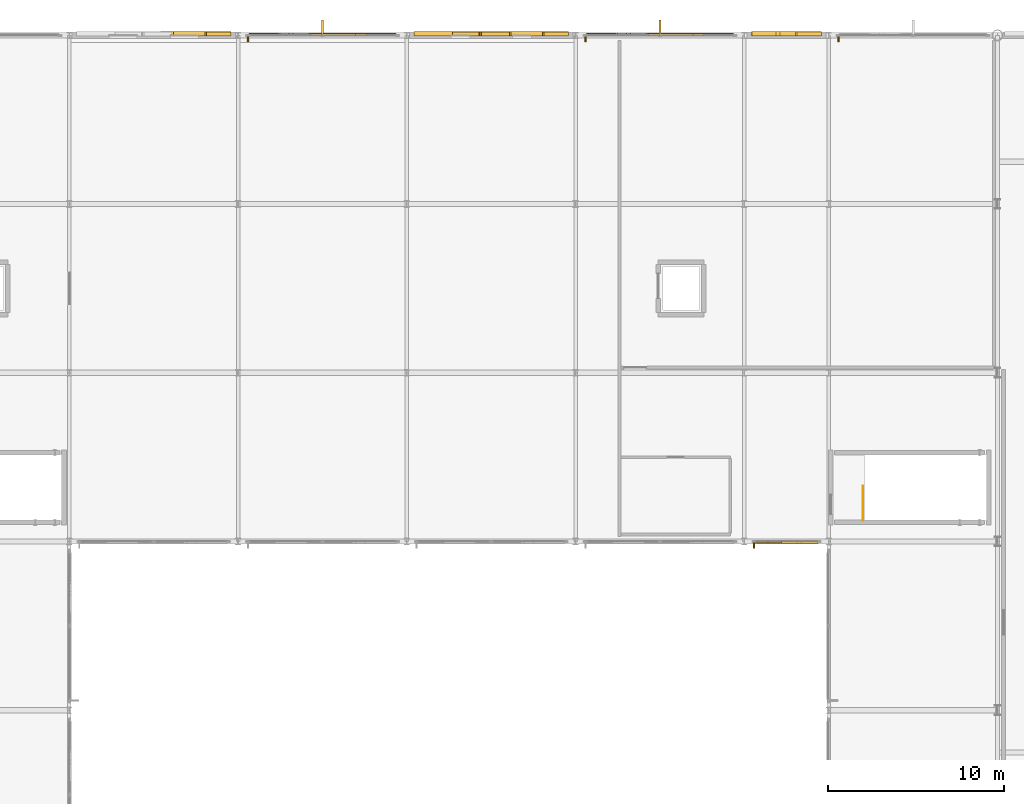
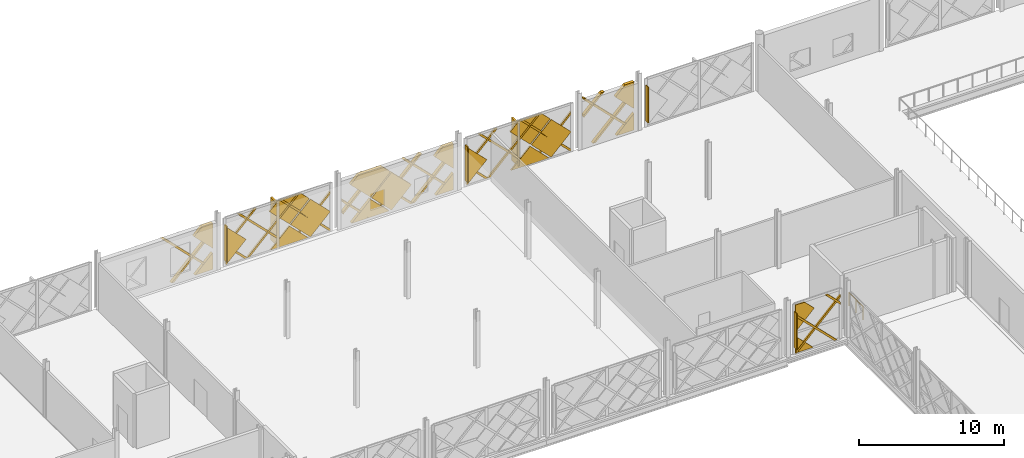
# One storey, part 68 of 77: 47 coverings, 4 shading devices, 1 railing.
"""IFC4 building model written with IfcOpenShell, lengths in metres."""

from ifc_helpers import new_model, si_unit, direction, frame, origin, origin_2d, place, context, subcontext, project, spatial, polyline, rectangle, circle, outline, extrude, material, layer, layer_set, type_object, element, save


model = new_model("IFC4")

# Units and contexts
model_context = context("Model", 3, precision=1e-05, world=origin(), true_north=direction((0.0, 1.0)))
body_context = subcontext(model_context, "Body", "Model", "MODEL_VIEW")
ifc_project = project(units=[si_unit("LENGTHUNIT", "METRE"), si_unit("AREAUNIT", "SQUARE_METRE"), si_unit("VOLUMEUNIT", "CUBIC_METRE"), si_unit("PLANEANGLEUNIT", "RADIAN"), si_unit("MASSUNIT", "GRAM", prefix="KILO")], contexts=[model_context])

# Site, building, storey
site_placement = place(None, origin())
site = spatial("IfcSite", under=ifc_project, at=site_placement, CompositionType="ELEMENT")
building_placement = place(site_placement, origin())
building = spatial("IfcBuilding", under=site, at=building_placement, Name="Zevrakil Square Congress Hotel", CompositionType="ELEMENT")
storey_placement = place(building_placement, frame((0.0, 0.0, 9.89990234375)))
storey = spatial("IfcBuildingStorey", under=building, at=storey_placement, Name="L03", CompositionType="ELEMENT", Elevation=9.89990234375)

# Coverings
ifc_material_1 = material(Name="Architectural White Fibre-C GRC", Category="concrete")
ifc_layer_1 = layer(ifc_material_1, 0.06494140625)
ifc_layer_set_1 = layer_set([ifc_layer_1], Name="Architectural White Fibre-C GRC")
covering_type_1 = type_object("IfcCoveringType", Name="COV-DIA-WHITE", PredefinedType="CLADDING", material=ifc_layer_set_1)
covering_1_placement = place(storey_placement, frame((72.590087890625, 113.0, 0.080078125), z_axis=(0.0, 0.999999760125, 0.000692640526), x_axis=(1.0, 0.0, 0.0)))
element("IfcCovering", 1, at=covering_1_placement, inside=storey, type_object=covering_type_1, Name="L03 45-degree white GRC diamond facade cassette 646", PredefinedType="CLADDING", context=body_context, shape_type="SweptSolid", body=[
    extrude(outline(polyline([(0.0, 0.0), (1.409912109375, 0.0), (1.409912109375, -1.4099124475784228), (0.0, 0.0)])), origin(), (0.0, 0.0, -1.0), 0.239990234375),
])
covering_2_placement = place(storey_placement, frame((72.510009765625, 112.998046875, 3.360107421875), z_axis=(6.8463888e-05, 0.999999818345, 0.00059885107), x_axis=(0.707106740618, 0.000375040409, -0.707106722297)))
element("IfcCovering", 2, at=covering_2_placement, inside=storey, type_object=covering_type_1, Name="L03 45-degree white GRC diamond facade cassette 649", PredefinedType="CLADDING", context=body_context, shape_type="SweptSolid", body=[
    extrude(outline(polyline([(0.0, 0.0), (2.1071645237524566, 0.0), (0.597484308495914, -1.509680043501462), (-1.7130816543087235e-07, -0.9121954979388295), (0.0, 0.0)])), origin(), (0.0, 0.0, -1.0), 0.239990234375),
])
covering_3_placement = place(storey_placement, frame((80.1201171875, 112.89404296875, 1.590087890625), z_axis=(0.0, 0.999999790873, 0.000646725815), x_axis=(-0.707106707249, 0.000457304257, -0.707106707249)))
element("IfcCovering", 3, at=covering_3_placement, inside=storey, type_object=covering_type_1, Name="L03 45-degree white GRC diamond facade cassette 667", PredefinedType="CLADDING", context=body_context, shape_type="SweptSolid", body=[
    extrude(outline(polyline([(0.0, 0.0), (2.1354765131557993, 0.0), (0.00017308005963778683, -2.1353038796462007), (0.0, 0.0)])), origin(), (0.0, 0.0, -1.0), 0.1201171875),
])
covering_4_placement = place(storey_placement, frame((81.800048828125, 112.89306640625, 3.27001953125), z_axis=(0.0, 0.999999812555, 0.000612282237), x_axis=(-0.707161000838, 0.000432915721, -0.707052424844)))
element("IfcCovering", 4, at=covering_4_placement, inside=storey, type_object=covering_type_1, Name="L03 45-degree white GRC diamond facade cassette 668", PredefinedType="CLADDING", context=body_context, shape_type="SweptSolid", body=[
    extrude(outline(polyline([(0.0, 0.0), (2.2485514454845923, 0.0), (2.248379222880032, -2.2487240657380214), (0.013983748838055643, -2.248379882955194), (-0.0001711092764935529, -2.234222853853795), (0.0, 0.0)])), origin(), (0.0, 0.0, -1.0), 0.1201171875),
])
covering_5_placement = place(storey_placement, frame((75.080078125, 112.89501953125, 0.090087890625), z_axis=(4.3905e-08, 0.999999810877, 0.000615017631), x_axis=(0.707052423991, -0.000434947608, 0.707161000444)))
element("IfcCovering", 5, at=covering_5_placement, inside=storey, type_object=covering_type_1, Name="L03 45-degree white GRC diamond facade cassette 669", PredefinedType="CLADDING", context=body_context, shape_type="SweptSolid", body=[
    extrude(outline(polyline([(0.0, 0.0), (2.2485514454863083, 0.0), (2.2487244898345797, -2.248378798725155), (2.163961467029263, -2.248557955925599), (6.520949064468817e-06, -0.08493566953746919), (0.0, 0.0)])), origin(), (0.0, 0.0, -1.0), 0.1201171875),
])
covering_6_placement = place(storey_placement, frame((78.530029296875, 112.89306640625, 3.360107421875), z_axis=(0.0, 0.999999833525, 0.000577018806), x_axis=(0.707106746075, 0.000408013931, -0.707106698582)))
element("IfcCovering", 6, at=covering_6_placement, inside=storey, type_object=covering_type_1, Name="L03 45-degree white GRC diamond facade cassette 670", PredefinedType="CLADDING", context=body_context, shape_type="SweptSolid", body=[
    extrude(outline(polyline([(0.0, 0.0), (2.2487239719468546, -4.440892098500626e-16), (2.248551115144425, -2.2485513384467715), (1.33635562275862, -2.2485514164484766), (-1.6859132201396676e-07, -0.9121954923857929), (0.0, 0.0)])), origin(), (0.0, 0.0, -1.0), 0.1201171875),
])
covering_7_placement = place(storey_placement, frame((91.7900390625, 113.0, 0.080078125), z_axis=(0.0, 0.999999760125, 0.000692640526), x_axis=(1.0, 0.0, 0.0)))
element("IfcCovering", 7, at=covering_7_placement, inside=storey, type_object=covering_type_1, Name="L03 45-degree white GRC diamond facade cassette 690", PredefinedType="CLADDING", context=body_context, shape_type="SweptSolid", body=[
    extrude(outline(polyline([(0.0, 0.0), (1.409912109375, 0.0), (1.409912109375, -1.4099124475784228), (0.0, 0.0)])), origin(), (0.0, 0.0, -1.0), 0.239990234375),
])
covering_8_placement = place(storey_placement, frame((86.580078125, 112.9990234375, 1.590087890625), z_axis=(0.0, 0.999999790873, 0.000646725815), x_axis=(-0.707106707249, 0.000457304257, -0.707106707249)))
element("IfcCovering", 8, at=covering_8_placement, inside=storey, type_object=covering_type_1, Name="L03 45-degree white GRC diamond facade cassette 691", PredefinedType="CLADDING", context=body_context, shape_type="SweptSolid", body=[
    extrude(outline(polyline([(0.0, 0.0), (2.1354765131557993, 0.0), (4.465861884739297e-07, -2.1354765131557527), (0.0, 0.0)])), origin(), (0.0, 0.0, -1.0), 0.239990234375),
])
covering_9_placement = place(storey_placement, frame((88.260009765625, 112.998046875, 3.27001953125), z_axis=(0.0, 0.999999811377, 0.000614203339), x_axis=(-0.707161000837, 0.000434274042, -0.707052424012)))
element("IfcCovering", 9, at=covering_9_placement, inside=storey, type_object=covering_type_1, Name="L03 45-degree white GRC diamond facade cassette 692", PredefinedType="CLADDING", context=body_context, shape_type="SweptSolid", body=[
    extrude(outline(polyline([(0.0, 0.0), (2.2485514454867683, 0.0), (2.2483792228863573, -2.248724065739994), (-0.0003448428211170196, -2.248551419043839), (0.0, 0.0)])), origin(), (0.0, 0.0, -1.0), 0.239990234375),
])
covering_10_placement = place(storey_placement, frame((91.7099609375, 112.998046875, 3.360107421875), z_axis=(6.8463888e-05, 0.999999818345, 0.00059885107), x_axis=(0.707106740618, 0.000375040409, -0.707106722297)))
element("IfcCovering", 10, at=covering_10_placement, inside=storey, type_object=covering_type_1, Name="L03 45-degree white GRC diamond facade cassette 693", PredefinedType="CLADDING", context=body_context, shape_type="SweptSolid", body=[
    extrude(outline(polyline([(0.0, 0.0), (2.1071645237524566, 0.0), (0.597484308495914, -1.509680043501462), (-1.7130816543087235e-07, -0.9121954979388295), (0.0, 0.0)])), origin(), (0.0, 0.0, -1.0), 0.239990234375),
])
covering_11_placement = place(storey_placement, frame((84.989990234375, 112.998046875, 3.360107421875), z_axis=(0.0, 0.999999833525, 0.000577018806), x_axis=(0.707106746075, 0.000408013931, -0.707106698582)))
element("IfcCovering", 11, at=covering_11_placement, inside=storey, type_object=covering_type_1, Name="L03 45-degree white GRC diamond facade cassette 694", PredefinedType="CLADDING", context=body_context, shape_type="SweptSolid", body=[
    extrude(outline(polyline([(0.0, 0.0), (2.2487239719468546, -4.440892098500626e-16), (2.248551115144425, -2.2485513384467715), (1.33635562275862, -2.2485514164484766), (-1.6859132201396676e-07, -0.9121954923857929), (0.0, 0.0)])), origin(), (0.0, 0.0, -1.0), 0.239990234375),
])
covering_12_placement = place(storey_placement, frame((99.320068359375, 112.89404296875, 1.590087890625), z_axis=(0.0, 0.999999790873, 0.000646725815), x_axis=(-0.707106707249, 0.000457304257, -0.707106707249)))
element("IfcCovering", 12, at=covering_12_placement, inside=storey, type_object=covering_type_1, Name="L03 45-degree white GRC diamond facade cassette 711", PredefinedType="CLADDING", context=body_context, shape_type="SweptSolid", body=[
    extrude(outline(polyline([(0.0, 0.0), (2.1354765131557993, 0.0), (4.465861884739297e-07, -2.1354765131557527), (0.0, 0.0)])), origin(), (0.0, 0.0, -1.0), 0.1201171875),
])
covering_13_placement = place(storey_placement, frame((101.0, 112.89306640625, 3.27001953125), z_axis=(0.0, 0.999999812555, 0.000612282088), x_axis=(-0.707161000838, 0.000432915616, -0.707052424844)))
element("IfcCovering", 13, at=covering_13_placement, inside=storey, type_object=covering_type_1, Name="L03 45-degree white GRC diamond facade cassette 712", PredefinedType="CLADDING", context=body_context, shape_type="SweptSolid", body=[
    extrude(outline(polyline([(0.0, 0.0), (2.248551445484592, 0.0), (2.2483792228800303, -2.2487240657380205), (0.013811102109335449, -2.2485525032084603), (-0.000343756005215079, -2.2343954741070595), (0.0, 0.0)])), origin(), (0.0, 0.0, -1.0), 0.1201171875),
])
covering_14_placement = place(storey_placement, frame((94.280029296875, 112.89501953125, 0.090087890625), z_axis=(4.3898e-08, 0.999999810877, 0.000615017515), x_axis=(0.707106714509, -0.000434914137, 0.707106714115)))
element("IfcCovering", 14, at=covering_14_placement, inside=storey, type_object=covering_type_1, Name="L03 45-degree white GRC diamond facade cassette 713", PredefinedType="CLADDING", context=body_context, shape_type="SweptSolid", body=[
    extrude(outline(polyline([(0.0, 0.0), (2.2487240723345248, 0.0), (2.2485518629543146, -2.248551438891992), (2.16378882664394, -2.2487240883742428), (-2.3641429092169375e-11, -0.08493566978779551), (0.0, 0.0)])), origin(), (0.0, 0.0, -1.0), 0.1201171875),
])
covering_15_placement = place(storey_placement, frame((97.72998046875, 112.89306640625, 3.360107421875), z_axis=(0.0, 0.999999833525, 0.000577018806), x_axis=(0.707106746075, 0.000408013931, -0.707106698582)))
element("IfcCovering", 15, at=covering_15_placement, inside=storey, type_object=covering_type_1, Name="L03 45-degree white GRC diamond facade cassette 714", PredefinedType="CLADDING", context=body_context, shape_type="SweptSolid", body=[
    extrude(outline(polyline([(0.0, 0.0), (2.2487239719468546, -4.440892098500626e-16), (2.248551115144425, -2.2485513384467715), (1.33635562275862, -2.2485514164484766), (-1.6859132201396676e-07, -0.9121954923857929), (0.0, 0.0)])), origin(), (0.0, 0.0, -1.0), 0.1201171875),
])
covering_16_placement = place(storey_placement, frame((106.18994140625, 113.0, 0.080078125), z_axis=(0.0, 0.999999760125, 0.000692640526), x_axis=(1.0, 0.0, 0.0)))
element("IfcCovering", 16, at=covering_16_placement, inside=storey, type_object=covering_type_1, Name="L03 45-degree white GRC diamond facade cassette 726", PredefinedType="CLADDING", context=body_context, shape_type="SweptSolid", body=[
    extrude(outline(polyline([(0.0, 0.0), (1.41015625, 0.0), (1.41015625, -1.4099124475784226), (0.0, 0.0)])), origin(), (0.0, 0.0, -1.0), 0.239990234375),
])
covering_17_placement = place(storey_placement, frame((106.110107421875, 112.998046875, 3.360107421875), z_axis=(4.071961e-05, 0.999999846916, 0.000551823539), x_axis=(0.707106739102, 0.000361405083, -0.707106730914)))
element("IfcCovering", 17, at=covering_17_placement, inside=storey, type_object=covering_type_1, Name="L03 45-degree white GRC diamond facade cassette 727", PredefinedType="CLADDING", context=body_context, shape_type="SweptSolid", body=[
    extrude(outline(polyline([(0.0, 0.0), (2.107164524345376, 0.0), (0.5056432963886414, -1.6015210383001275), (-1.7012232711444142e-07, -1.0958775124388551), (0.0, 0.0)])), origin(), (0.0, 0.0, -1.0), 0.239990234375),
])
covering_18_placement = place(storey_placement, frame((105.22998046875, 83.905029296875, 0.080078125), z_axis=(0.0, -0.999999760125, 0.000692640526), x_axis=(-1.0, 0.0, 0.0)))
element("IfcCovering", 18, at=covering_18_placement, inside=storey, type_object=covering_type_1, Name="L03 45-degree white GRC diamond facade cassette 1696", PredefinedType="CLADDING", context=body_context, shape_type="SweptSolid", body=[
    extrude(outline(polyline([(0.0, 0.0), (1.409912109375, 0.0), (1.409912109375, -1.4099124475784228), (0.0, 0.0)])), origin(), (0.0, 0.0, -1.0), 0.1201171875),
])
covering_19_placement = place(storey_placement, frame((105.31005859375, 83.906982421875, 3.360107421875), z_axis=(7.434266e-06, -0.999999792337, 0.000644414274), x_axis=(-0.70710670527, -0.00046092657, -0.707106706876)))
element("IfcCovering", 19, at=covering_19_placement, inside=storey, type_object=covering_type_1, Name="L03 45-degree white GRC diamond facade cassette 1697", PredefinedType="CLADDING", context=body_context, shape_type="SweptSolid", body=[
    extrude(outline(polyline([(0.0, 0.0), (2.1071646235431647, -2.220446049250313e-16), (0.5056432160114439, -1.6015210636773696), (0.0001724071662957405, -1.0960501463228178), (0.0, 0.0)])), origin(), (0.0, 0.0, -1.0), 0.1201171875),
])
ifc_material_2 = material(Name="Anodised Champagne Aluminium", Category="aluminium")
ifc_layer_2 = layer(ifc_material_2, 0.0849609375)
ifc_layer_set_2 = layer_set([ifc_layer_2], Name="Anodised Champagne Aluminium")
covering_type_2 = type_object("IfcCoveringType", Name="COV-DIAGRID-45", PredefinedType="MOLDING", material=ifc_layer_set_2)
covering_20_placement = place(storey_placement, frame((73.913818359375, 113.02490234375, 0.080078125), z_axis=(-0.000168035262, 0.999999907008, 0.000397174255), x_axis=(0.999999985882, 0.000168035248, 6.6739e-08)))
element("IfcCovering", 20, at=covering_20_placement, inside=storey, type_object=covering_type_2, Name="L03 45-degree aluminium diagrid rib 651", PredefinedType="MOLDING", context=body_context, shape_type="SweptSolid", body=[
    extrude(outline(polyline([(0.0, 0.0), (0.08618163940829408, -1.1406045165281983e-24), (0.08618164783217303, -0.12622069316950618), (-3.7126465392232757, -3.925049391239227), (-3.9248047393530423, -3.925049391239227), (0.0, 0.0)])), origin(), (0.0, 0.0, -1.0), 0.264892578125),
])
covering_21_placement = place(storey_placement, frame((74.0, 113.023193359375, 3.154052734375), z_axis=(-0.000287477056, 0.99999958606, 0.000863270454), x_axis=(-8.2643e-08, -0.000863270513, 0.999999627382)))
element("IfcCovering", 21, at=covering_21_placement, inside=storey, type_object=covering_type_2, Name="L03 45-degree aluminium diagrid rib 654", PredefinedType="MOLDING", context=body_context, shape_type="SweptSolid", body=[
    extrude(outline(polyline([(0.0, 0.0), (0.21215833483042407, 1.3234889800848443e-23), (-3.0739746676964605, -3.286133202330571), (-3.073974685229852, -3.0739750079722734), (0.0, 0.0)])), origin(), (0.0, 0.0, -1.0), 0.264892578125),
])
covering_22_placement = place(storey_placement, frame((83.2939453125, 112.919921875, 0.080078125), z_axis=(-0.000186814305, 0.999999885222, 0.000441199743), x_axis=(0.99999998255, 0.000186814287, 8.2422e-08)))
element("IfcCovering", 22, at=covering_22_placement, inside=storey, type_object=covering_type_2, Name="L03 45-degree aluminium diagrid rib 671", PredefinedType="MOLDING", context=body_context, shape_type="SweptSolid", body=[
    extrude(outline(polyline([(0.0, 0.0), (0.08593749850040845, 0.0), (0.08593750890382487, -0.12622069084011384), (-3.7128906927883554, -3.9250495232532634), (-3.9250488922112385, -3.9250495232532634), (0.0, 0.0)])), origin(), (0.0, 0.0, -1.0), 0.14501953125),
])
covering_23_placement = place(storey_placement, frame((79.933837890625, 112.919921875, 0.080078125), z_axis=(0.0, 0.999999806554, 0.000622006473), x_axis=(1.0, 0.0, 0.0)))
element("IfcCovering", 23, at=covering_23_placement, inside=storey, type_object=covering_type_2, Name="L03 45-degree aluminium diagrid rib 672", PredefinedType="MOLDING", context=body_context, shape_type="SweptSolid", body=[
    extrude(outline(polyline([(0.0, 0.0), (0.212158203125, 0.0), (-3.712646484375, -3.9250495874103186), (-3.925048828125, -3.9250495874103186), (0.0, 0.0)])), origin(), (0.0, 0.0, -1.0), 0.14501953125),
])
covering_24_placement = place(storey_placement, frame((76.573974609375, 112.919921875, 0.080078125), z_axis=(-0.000294139249, 0.999999913482, 0.000294139249), x_axis=(0.999999956741, 0.000294139237, 8.6518e-08)))
element("IfcCovering", 24, at=covering_24_placement, inside=storey, type_object=covering_type_2, Name="L03 45-degree aluminium diagrid rib 673", PredefinedType="MOLDING", context=body_context, shape_type="SweptSolid", body=[
    extrude(outline(polyline([(0.0, 0.0), (0.2121581939472589, 0.0), (-1.553955145347468, -1.7661134920951609), (-1.5539551637029505, -1.5539552981479028), (0.0, 0.0)])), origin(), (0.0, 0.0, -1.0), 0.14501953125),
])
covering_25_placement = place(storey_placement, frame((83.3798828125, 112.918212890625, 3.154052734375), z_axis=(-0.000287488092, 0.999999586067, 0.000863259418), x_axis=(-8.2649e-08, -0.000863259477, 0.999999627391)))
element("IfcCovering", 25, at=covering_25_placement, inside=storey, type_object=covering_type_2, Name="L03 45-degree aluminium diagrid rib 674", PredefinedType="MOLDING", context=body_context, shape_type="SweptSolid", body=[
    extrude(outline(polyline([(0.0, 0.0), (0.212158334829751, 1.3234889800848443e-23), (-3.0739746677062127, -3.2858890617254115), (-3.073974685240951, -3.0737308673677872), (0.0, 0.0)])), origin(), (0.0, 0.0, -1.0), 0.14501953125),
])
covering_26_placement = place(storey_placement, frame((80.87109375, 112.91748046875, 4.005126953125), z_axis=(0.0, 0.999999806554, 0.000622006473), x_axis=(-1.0, 0.0, 0.0)))
element("IfcCovering", 26, at=covering_26_placement, inside=storey, type_object=covering_type_2, Name="L03 45-degree aluminium diagrid rib 675", PredefinedType="MOLDING", context=body_context, shape_type="SweptSolid", body=[
    extrude(outline(polyline([(0.0, 0.0), (0.212158203125, 0.0), (4.13720703125, -3.9250495874103186), (3.925048828125, -3.9250495874103186), (0.0, 0.0)])), origin(), (0.0, 0.0, -1.0), 0.14501953125),
])
covering_27_placement = place(storey_placement, frame((77.510986328125, 112.91748046875, 4.005126953125), z_axis=(-0.00024217289, 0.99999955887, 0.00090753025), x_axis=(-0.999999970676, -0.00024217279, -2.19779e-07)))
element("IfcCovering", 27, at=covering_27_placement, inside=storey, type_object=covering_type_2, Name="L03 45-degree aluminium diagrid rib 676", PredefinedType="MOLDING", context=body_context, shape_type="SweptSolid", body=[
    extrude(outline(polyline([(0.0, 0.0), (0.21215819690370366, -5.6157808774107894e-24), (2.490966869919751, -2.2788089847137165), (2.490966857477158, -2.4912114625602326), (0.0, 0.0)])), origin(), (0.0, 0.0, -1.0), 0.14501953125),
])
covering_28_placement = place(storey_placement, frame((93.114013671875, 113.02490234375, 0.080078125), z_axis=(-0.000168132879, 0.999999907029, 0.000397079777), x_axis=(0.999999985866, 0.000168132865, 6.6762e-08)))
element("IfcCovering", 28, at=covering_28_placement, inside=storey, type_object=covering_type_2, Name="L03 45-degree aluminium diagrid rib 695", PredefinedType="MOLDING", context=body_context, shape_type="SweptSolid", body=[
    extrude(outline(polyline([(0.0, 0.0), (0.08593749878533079, 1.137373342260413e-24), (0.08593750721209843, -0.12622069317424195), (-3.7128906799085697, -3.925049391178901), (-3.925048880034855, -3.925049391178901), (0.0, 0.0)])), origin(), (0.0, 0.0, -1.0), 0.264892578125),
])
covering_29_placement = place(storey_placement, frame((89.75390625, 113.02490234375, 0.080078125), z_axis=(0.0, 0.999999843309, 0.000559805846), x_axis=(1.0, 0.0, 0.0)))
element("IfcCovering", 29, at=covering_29_placement, inside=storey, type_object=covering_type_2, Name="L03 45-degree aluminium diagrid rib 696", PredefinedType="MOLDING", context=body_context, shape_type="SweptSolid", body=[
    extrude(outline(polyline([(0.0, 0.0), (0.212158203125, 0.0), (-3.712890625, -3.9250494431461194), (-3.925048828125, -3.9250494431461194), (0.0, 0.0)])), origin(), (0.0, 0.0, -1.0), 0.264892578125),
])
covering_30_placement = place(storey_placement, frame((86.393798828125, 113.02490234375, 0.080078125), z_axis=(-0.000290471383, 0.999999915529, 0.000290805643), x_axis=(0.999999957813, 0.000290471371, 8.4471e-08)))
element("IfcCovering", 30, at=covering_30_placement, inside=storey, type_object=covering_type_2, Name="L03 45-degree aluminium diagrid rib 697", PredefinedType="MOLDING", context=body_context, shape_type="SweptSolid", body=[
    extrude(outline(polyline([(0.0, 0.0), (0.212402334789422, -2.81112161297318e-24), (-1.993896568491142, -2.206054949206632), (-1.9938965864122986, -1.9938967550525222), (0.0, 0.0)])), origin(), (0.0, 0.0, -1.0), 0.264892578125),
])
covering_31_placement = place(storey_placement, frame((93.199951171875, 113.023193359375, 3.154052734375), z_axis=(-0.000287317256, 0.999999586254, 0.000863099624), x_axis=(-8.2646e-08, -0.000863099684, 0.999999627529)))
element("IfcCovering", 31, at=covering_31_placement, inside=storey, type_object=covering_type_2, Name="L03 45-degree aluminium diagrid rib 698", PredefinedType="MOLDING", context=body_context, shape_type="SweptSolid", body=[
    extrude(outline(polyline([(0.0, 0.0), (0.212158334820002, 0.0), (-3.0739746678474664, -3.286133202189314), (-3.0739746854017027, -3.07373086720635), (0.0, 0.0)])), origin(), (0.0, 0.0, -1.0), 0.264892578125),
])
covering_32_placement = place(storey_placement, frame((90.691162109375, 113.022705078125, 4.005126953125), z_axis=(0.0, 0.999999843309, 0.000559805846), x_axis=(-1.0, 0.0, 0.0)))
element("IfcCovering", 32, at=covering_32_placement, inside=storey, type_object=covering_type_2, Name="L03 45-degree aluminium diagrid rib 699", PredefinedType="MOLDING", context=body_context, shape_type="SweptSolid", body=[
    extrude(outline(polyline([(0.0, 0.0), (0.212158203125, 0.0), (4.13720703125, -3.9250494431461194), (3.925048828125, -3.9250494431461194), (0.0, 0.0)])), origin(), (0.0, 0.0, -1.0), 0.264892578125),
])
covering_33_placement = place(storey_placement, frame((87.3310546875, 113.022705078125, 4.005126953125), z_axis=(-0.000294511409, 0.999999590061, 0.000856236106), x_axis=(-0.999999956632, -0.000294511301, -2.52171e-07)))
element("IfcCovering", 33, at=covering_33_placement, inside=storey, type_object=covering_type_2, Name="L03 45-degree aluminium diagrid rib 700", PredefinedType="MOLDING", context=body_context, shape_type="SweptSolid", body=[
    extrude(outline(polyline([(0.0, 0.0), (0.21215819392401997, 0.0), (2.9311524708696437, -2.7189943981748455), (2.9311524524676837, -2.931152732570991), (0.0, 0.0)])), origin(), (0.0, 0.0, -1.0), 0.264892578125),
])
covering_34_placement = place(storey_placement, frame((102.493896484375, 112.919921875, 0.080078125), z_axis=(-0.000186702356, 0.9999998852, 0.000441296479), x_axis=(0.999999982571, 0.000186702338, 8.2391e-08)))
element("IfcCovering", 34, at=covering_34_placement, inside=storey, type_object=covering_type_2, Name="L03 45-degree aluminium diagrid rib 715", PredefinedType="MOLDING", context=body_context, shape_type="SweptSolid", body=[
    extrude(outline(polyline([(0.0, 0.0), (0.08618163912295008, 0.0), (0.08618164952241188, -0.12622069083472615), (-3.712890692715645, -3.9250495233218956), (-3.9250488921429643, -3.9250495233218956), (0.0, 0.0)])), origin(), (0.0, 0.0, -1.0), 0.14501953125),
])
covering_35_placement = place(storey_placement, frame((99.1337890625, 112.919921875, 0.080078125), z_axis=(0.0, 0.999999806554, 0.000622006473), x_axis=(1.0, 0.0, 0.0)))
element("IfcCovering", 35, at=covering_35_placement, inside=storey, type_object=covering_type_2, Name="L03 45-degree aluminium diagrid rib 716", PredefinedType="MOLDING", context=body_context, shape_type="SweptSolid", body=[
    extrude(outline(polyline([(0.0, 0.0), (0.21240234375, 0.0), (-3.712646484375, -3.9250495874103186), (-3.9248046875, -3.9250495874103186), (0.0, 0.0)])), origin(), (0.0, 0.0, -1.0), 0.14501953125),
])
covering_36_placement = place(storey_placement, frame((95.77392578125, 112.919921875, 0.080078125), z_axis=(-0.000294139249, 0.999999913482, 0.000294139249), x_axis=(0.999999956741, 0.000294139237, 8.6518e-08)))
element("IfcCovering", 36, at=covering_36_placement, inside=storey, type_object=covering_type_2, Name="L03 45-degree aluminium diagrid rib 717", PredefinedType="MOLDING", context=body_context, shape_type="SweptSolid", body=[
    extrude(outline(polyline([(0.0, 0.0), (0.2121581939472589, 0.0), (-1.553955145347468, -1.7661134920951609), (-1.5539551637029505, -1.5539552981479028), (0.0, 0.0)])), origin(), (0.0, 0.0, -1.0), 0.14501953125),
])
covering_37_placement = place(storey_placement, frame((102.580078125, 112.918212890625, 3.154052734375), z_axis=(-0.000287477056, 0.99999958606, 0.000863270454), x_axis=(-8.2643e-08, -0.000863270513, 0.999999627382)))
element("IfcCovering", 37, at=covering_37_placement, inside=storey, type_object=covering_type_2, Name="L03 45-degree aluminium diagrid rib 718", PredefinedType="MOLDING", context=body_context, shape_type="SweptSolid", body=[
    extrude(outline(polyline([(0.0, 0.0), (0.21215833483042407, 1.3234889800848443e-23), (-3.0739746676964605, -3.286133202330571), (-3.073974685229852, -3.0739750079722734), (0.0, 0.0)])), origin(), (0.0, 0.0, -1.0), 0.14501953125),
])
covering_38_placement = place(storey_placement, frame((100.071044921875, 112.91748046875, 4.005126953125), z_axis=(0.0, 0.999999806554, 0.000622006473), x_axis=(-1.0, 0.0, 0.0)))
element("IfcCovering", 38, at=covering_38_placement, inside=storey, type_object=covering_type_2, Name="L03 45-degree aluminium diagrid rib 719", PredefinedType="MOLDING", context=body_context, shape_type="SweptSolid", body=[
    extrude(outline(polyline([(0.0, 0.0), (0.212158203125, 0.0), (4.13720703125, -3.9250495874103186), (3.925048828125, -3.9250495874103186), (0.0, 0.0)])), origin(), (0.0, 0.0, -1.0), 0.14501953125),
])
covering_39_placement = place(storey_placement, frame((96.711181640625, 112.91748046875, 4.005126953125), z_axis=(-0.000242027513, 0.999999559026, 0.000907397268), x_axis=(-0.999999970711, -0.000242027413, -2.19615e-07)))
element("IfcCovering", 39, at=covering_39_placement, inside=storey, type_object=covering_type_2, Name="L03 45-degree aluminium diagrid rib 720", PredefinedType="MOLDING", context=body_context, shape_type="SweptSolid", body=[
    extrude(outline(polyline([(0.0, 0.0), (0.21240233752902019, 0.0), (2.4912110104642298, -2.2788089847939177), (2.49121099802227, -2.4912114626335993), (0.0, 0.0)])), origin(), (0.0, 0.0, -1.0), 0.14501953125),
])
covering_40_placement = place(storey_placement, frame((107.513916015625, 113.02490234375, 0.080078125), z_axis=(0.000200090485, 0.999999664345, 0.000794527881), x_axis=(0.999999979982, -0.000200090421, -1.58977e-07)))
element("IfcCovering", 40, at=covering_40_placement, inside=storey, type_object=covering_type_2, Name="L03 45-degree aluminium diagrid rib 728", PredefinedType="MOLDING", context=body_context, shape_type="SweptSolid", body=[
    extrude(outline(polyline([(0.0, 0.0), (0.08618163889980719, 0.0), (0.08618161883355892, -0.12622066328503312), (-3.8427735167157477, -4.054932300502539), (-3.913818437168563, -4.054932300502539), (-3.913818463584931, -3.9138188698166227), (0.0, 0.0)])), origin(), (0.0, 0.0, -1.0), 0.264892578125),
])
covering_41_placement = place(storey_placement, frame((107.60009765625, 113.023193359375, 3.154052734375), z_axis=(-0.000287477056, 0.99999958606, 0.000863270454), x_axis=(-8.2643e-08, -0.000863270513, 0.999999627382)))
element("IfcCovering", 41, at=covering_41_placement, inside=storey, type_object=covering_type_2, Name="L03 45-degree aluminium diagrid rib 729", PredefinedType="MOLDING", context=body_context, shape_type="SweptSolid", body=[
    extrude(outline(polyline([(0.0, 0.0), (0.21215833483042407, 1.3234889800848443e-23), (-3.0739746676964605, -3.286133202330571), (-3.073974685229852, -3.0739750079722734), (0.0, 0.0)])), origin(), (0.0, 0.0, -1.0), 0.264892578125),
])
covering_42_placement = place(storey_placement, frame((105.22119140625, 113.0224609375, 4.135009765625), z_axis=(0.000322320676, 0.999999896109, 0.000322320676), x_axis=(-0.999999948055, 0.000322320659, 1.03891e-07)))
element("IfcCovering", 42, at=covering_42_placement, inside=storey, type_object=covering_type_2, Name="L03 45-degree aluminium diagrid rib 730", PredefinedType="MOLDING", context=body_context, shape_type="SweptSolid", body=[
    extrude(outline(polyline([(0.0, 0.0), (0.21240233271669434, 0.0), (1.6210938342082224, -1.4086916478413816), (1.6210938121416105, -1.6210939805580749), (0.0, 0.0)])), origin(), (0.0, 0.0, -1.0), 0.264892578125),
])
covering_43_placement = place(storey_placement, frame((103.906005859375, 83.8798828125, 0.080078125), z_axis=(-0.000647793829, -0.999998968386, 0.001282025862), x_axis=(-0.999999790182, 0.000647793296, -8.30489e-07)))
element("IfcCovering", 43, at=covering_43_placement, inside=storey, type_object=covering_type_2, Name="L03 45-degree aluminium diagrid rib 1698", PredefinedType="MOLDING", context=body_context, shape_type="SweptSolid", body=[
    extrude(outline(polyline([(0.0, 0.0), (0.08593748196872746, 0.0), (0.08593753529653067, -0.12622091239201236), (-3.4738777039251745, -3.6860352570282595), (-3.4738776858828624, -3.4738769152593267), (0.0, 0.0)])), origin(), (0.0, 0.0, -1.0), 0.14501953125),
])
covering_44_placement = place(storey_placement, frame((103.820068359375, 83.8818359375, 3.154052734375), z_axis=(0.000248952361, -0.999999562652, 0.00090150864), x_axis=(6.2049e-08, 0.000901508683, 0.999999593641)))
element("IfcCovering", 44, at=covering_44_placement, inside=storey, type_object=covering_type_2, Name="L03 45-degree aluminium diagrid rib 1699", PredefinedType="MOLDING", context=body_context, shape_type="SweptSolid", body=[
    extrude(outline(polyline([(0.0, 0.0), (0.21215833700749018, 0.0), (-3.0739749170969763, -3.2861331050685156), (-3.073974930276236, -3.073730767900576), (0.0, 0.0)])), origin(), (0.0, 0.0, -1.0), 0.14501953125),
])
covering_45_placement = place(storey_placement, frame((106.198974609375, 83.882568359375, 4.135009765625), z_axis=(-0.000340715463, -0.999999883913, 0.000340715463), x_axis=(0.999999941956, -0.000340715443, 1.16087e-07)))
element("IfcCovering", 45, at=covering_45_placement, inside=storey, type_object=covering_type_2, Name="L03 45-degree aluminium diagrid rib 1700", PredefinedType="MOLDING", context=body_context, shape_type="SweptSolid", body=[
    extrude(outline(polyline([(0.0, 0.0), (0.21215819081059215, -2.8078904387053947e-24), (1.180908271669067, -0.968750193317811), (1.1809082470402505, -1.1809083841284016), (0.0, 0.0)])), origin(), (0.0, 0.0, -1.0), 0.14501953125),
])
ifc_material_3 = material(Name="Architectural White Fibre-C GRC", Category="concrete")
ifc_layer_3 = layer(ifc_material_3, 0.139892578125)
ifc_layer_set_3 = layer_set([ifc_layer_3], Name="Architectural White Fibre-C GRC")
covering_type_3 = type_object("IfcCoveringType", Name="COV-FIN-GRC90", PredefinedType="MOLDING", material=ifc_layer_set_3)
for number, where, z_axis, x_axis, name in (
    (46, (79.199951171875, 113.219970703125, 0.242431640625), (0.0, 0.0, 1.0), (0.0, 1.0, 0.0), "L03 highland sun-breaker GRC fin 677"),
    (47, (98.39990234375, 113.219970703125, 0.242431640625), (0.0, 0.0, 1.0), (0.0, 1.0, 0.0), "L03 highland sun-breaker GRC fin 721"),
):
    element("IfcCovering", number, at=place(storey_placement, frame(where, z_axis=z_axis, x_axis=x_axis)), inside=storey, type_object=covering_type_3, Name=name, PredefinedType="MOLDING", context=body_context, shape_type="SweptSolid", body=[
        extrude(rectangle(XDim=0.89990234375, YDim=0.139892578125, at=origin_2d()), origin(), (0.0, 0.0, 1.0), 3.60009765625),
    ])

# Railing
ifc_material_4 = material(Name="Steel S355", Category="steel")
railing_type = type_object("IfcRailingType", Name="RLG-STAIR-GUARD-1100", PredefinedType="BALUSTRADE", material=ifc_material_4)
railing_placement = place(storey_placement, frame((109.949951171875, 85.199951171875, 0.0)))
element("IfcRailing", 48, at=railing_placement, inside=storey, type_object=railing_type, Name="L03 ST06 top well guard 1", PredefinedType="BALUSTRADE", context=body_context, shape_type="SweptSolid", body=[
    extrude(circle(Radius=0.02392578125, at=origin_2d()), frame((0.0, 0.0, 1.076171875), z_axis=(0.0, 1.0, 0.0), x_axis=(-1.0, 0.0, 0.0)), (0.0, 0.0, 1.0), 1.949951171875),
    extrude(circle(Radius=0.02099609375, at=origin_2d()), origin(), (0.0, 0.0, 1.0), 1.052001953125),
    extrude(circle(Radius=0.02099609375, at=origin_2d()), frame((0.0, 0.97509765625, 0.0)), (0.0, 0.0, 1.0), 1.052001953125),
    extrude(circle(Radius=0.02099609375, at=origin_2d()), frame((0.0, 1.949951171875, 0.0)), (0.0, 0.0, 1.0), 1.052001953125),
])

# Shading devices
ifc_material_5 = material(Name="Aluminium Anodised Bronze", Category="aluminium")
shading_device_type = type_object("IfcShadingDeviceType", Name="SHD-FIN-35", PredefinedType="JALOUSIE", material=ifc_material_5)
for number, where, z_axis, x_axis, name in (
    (49, (74.9599609375, 112.60498046875, 0.54248046875), (0.0, 0.0, 1.0), (0.0, -1.0, 0.0), "L03 aluminium solar shading fin 40"),
    (50, (94.159912109375, 112.60498046875, 0.54248046875), (0.0, 0.0, 1.0), (0.0, -1.0, 0.0), "L03 aluminium solar shading fin 42"),
    (51, (108.56005859375, 112.60498046875, 0.54248046875), (0.0, 0.0, 1.0), (0.0, -1.0, 0.0), "L03 aluminium solar shading fin 44"),
    (52, (103.760009765625, 83.804931640625, 0.607666015625), (0.0, 0.0, 1.0), (0.0, -1.0, 0.0), "L03 aluminium solar shading fin 87"),
):
    element("IfcShadingDevice", number, at=place(storey_placement, frame(where, z_axis=z_axis, x_axis=x_axis)), inside=storey, type_object=shading_device_type, Name=name, PredefinedType="JALOUSIE", context=body_context, shape_type="SweptSolid", body=[
        extrude(rectangle(XDim=0.35009765625, YDim=0.080078125, at=origin_2d()), origin(), (0.0, 0.0, 1.0), 3.0),
    ])

save(model, "model.ifc")
